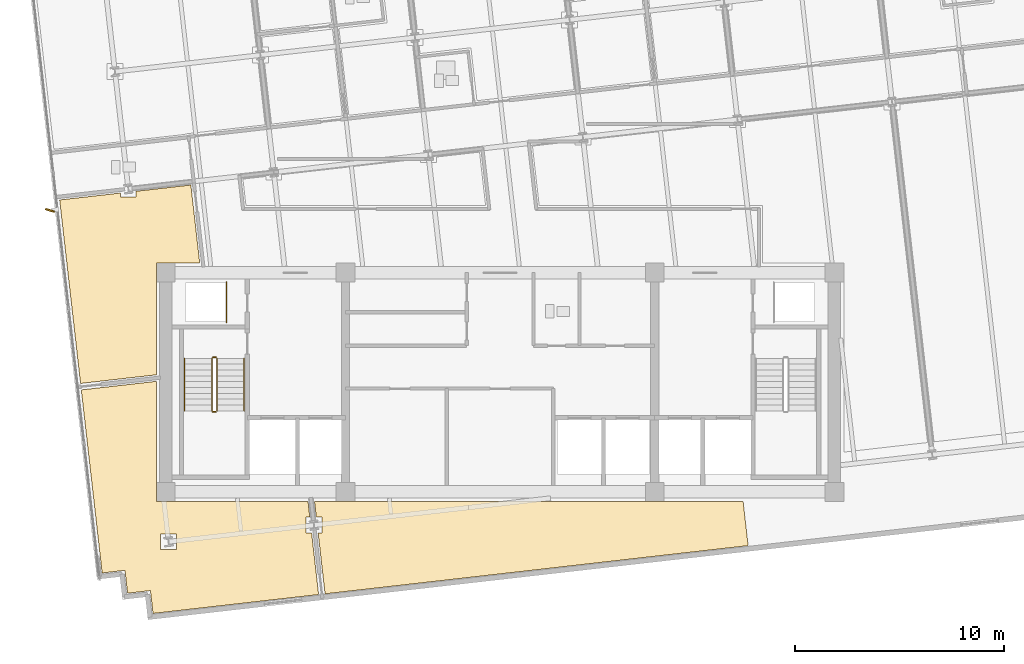
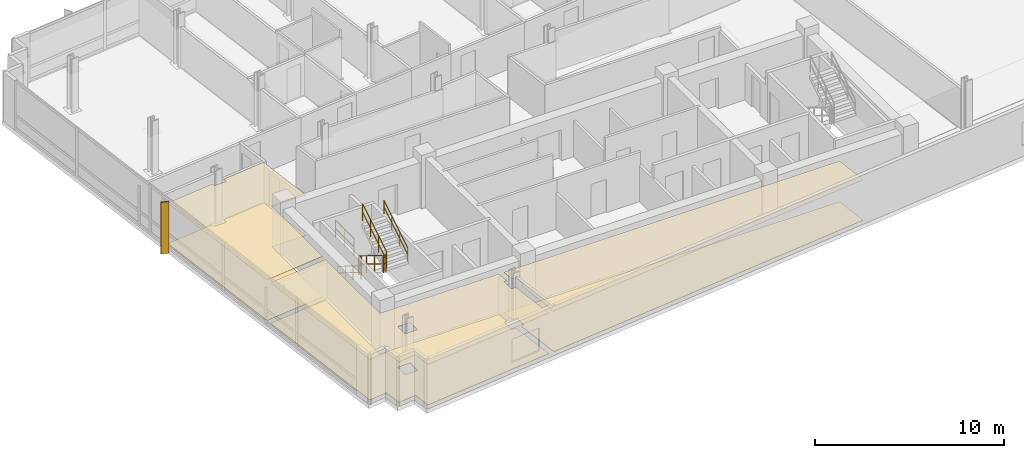
# One storey, part 12 of 16: 7 railings, 6 coverings, 1 shading device.
"""IFC4 building model written with IfcOpenShell, lengths in metres."""

from ifc_helpers import new_model, si_unit, direction, frame, origin, origin_2d, place, context, subcontext, project, spatial, polyline, rectangle, circle, outline, extrude, material, layer, layer_set, type_object, element, save


model = new_model("IFC4")

# Units and contexts
model_context = context("Model", 3, precision=1e-05, world=origin(), true_north=direction((0.0, 1.0)))
body_context = subcontext(model_context, "Body", "Model", "MODEL_VIEW")
ifc_project = project(units=[si_unit("LENGTHUNIT", "METRE"), si_unit("AREAUNIT", "SQUARE_METRE"), si_unit("VOLUMEUNIT", "CUBIC_METRE"), si_unit("PLANEANGLEUNIT", "RADIAN"), si_unit("MASSUNIT", "GRAM", prefix="KILO")], contexts=[model_context])

# Site, building, storey
site_placement = place(None, origin())
site = spatial("IfcSite", under=ifc_project, at=site_placement, CompositionType="ELEMENT")
building_placement = place(site_placement, origin())
building = spatial("IfcBuilding", under=site, at=building_placement, Name="Solmavex Isthmus Hotel", CompositionType="ELEMENT")
storey_placement = place(building_placement, frame((0.0, 0.0, 205.5)))
storey = spatial("IfcBuildingStorey", under=building, at=storey_placement, Name="L55", CompositionType="ELEMENT", Elevation=205.5)

# Coverings
ifc_material_1 = material(Name="Gypsum plasterboard lining", Category="gypsum")
ifc_layer_1 = layer(ifc_material_1, 0.030029296875)
ifc_layer_set_1 = layer_set([ifc_layer_1], Name="Gypsum plasterboard lining")
covering_type_1 = type_object("IfcCoveringType", Name="COV-CEIL-GYP", PredefinedType="CEILING", material=ifc_layer_set_1)
covering_1_placement = place(storey_placement, frame((0.0, 0.0, 2.6201171875)))
element("IfcCovering", 1, at=covering_1_placement, inside=storey, type_object=covering_type_1, Name="Suspended Acoustic Ceiling L55-FL10", PredefinedType="CEILING", context=body_context, shape_type="SweptSolid", body=[
    extrude(outline(polyline([(-17.4169921875, 1.39453125), (-17.4169921875, 1.12744140625), (-18.177001953125, 1.12744140625), (-18.177001953125, 1.30810546875), (-21.0830078125, 0.97705078125), (-20.58544921875, -3.389892578125), (-20.082275390625, -7.80615234375), (-16.455078125, -7.39306640625), (-16.455078125, -2.044921875), (-14.3779296875, -2.044921875), (-14.8037109375, 1.6923828125), (-17.4169921875, 1.39453125)])), origin(), (0.0, 0.0, 1.0), 0.02978515625),
])
covering_2_placement = place(storey_placement, frame((0.0, 0.0, 2.6201171875)))
element("IfcCovering", 2, at=covering_2_placement, inside=storey, type_object=covering_type_1, Name="Suspended Acoustic Ceiling L55-FL11", PredefinedType="CEILING", context=body_context, shape_type="SweptSolid", body=[
    extrude(outline(polyline([(-9.022216796875, -14.969970703125), (-9.28955078125, -14.969970703125), (-9.28955078125, -14.2099609375), (-9.10888671875, -14.2099609375), (-9.114501953125, -14.160400390625), (-9.19482421875, -13.455078125), (-16.455078125, -13.455078125), (-16.455078125, -7.704833984375), (-20.047119140625, -8.1142578125), (-19.22705078125, -15.312744140625), (-19.14208984375, -16.057861328125), (-19.048828125, -16.87744140625), (-17.955810546875, -16.7529296875), (-17.831298828125, -17.845947265625), (-16.73828125, -17.721435546875), (-16.61376953125, -18.814453125), (-15.794189453125, -18.720947265625), (-8.687255859375, -17.9111328125), (-9.022216796875, -14.969970703125)]), holes=[polyline([(-16.25244140625, -15.763427734375), (-16.25244140625, -15.00341796875), (-15.492431640625, -15.00341796875), (-15.492431640625, -15.763427734375), (-16.25244140625, -15.763427734375)])]), origin(), (0.0, 0.0, 1.0), 0.02978515625),
])
covering_3_placement = place(storey_placement, frame((0.0, 0.0, 2.6201171875)))
element("IfcCovering", 3, at=covering_3_placement, inside=storey, type_object=covering_type_1, Name="Suspended Acoustic Ceiling L55-FL12", PredefinedType="CEILING", context=body_context, shape_type="SweptSolid", body=[
    extrude(outline(polyline([(-8.796875, -14.2099609375), (-8.529541015625, -14.2099609375), (-8.529541015625, -14.969970703125), (-8.710205078125, -14.969970703125), (-8.379150390625, -17.876220703125), (2.487548828125, -16.637939453125), (11.871826171875, -15.56884765625), (11.631103515625, -13.455078125), (-8.8828125, -13.455078125), (-8.796875, -14.2099609375)])), origin(), (0.0, 0.0, 1.0), 0.02978515625),
])
ifc_material_2 = material(Name="Travertine natural stone", Category="masonry")
ifc_layer_2 = layer(ifc_material_2, 0.02490234375)
ifc_layer_set_2 = layer_set([ifc_layer_2], Name="Travertine natural stone")
covering_type_2 = type_object("IfcCoveringType", Name="COV-FLOR-STN", PredefinedType="FLOORING", material=ifc_layer_set_2)
covering_4_placement = place(storey_placement, origin())
element("IfcCovering", 4, at=covering_4_placement, inside=storey, type_object=covering_type_2, Name="Stone and Timber Floor Finish L55-FL10", PredefinedType="FLOORING", context=body_context, shape_type="SweptSolid", body=[
    extrude(outline(polyline([(-17.4169921875, 1.39453125), (-17.4169921875, 1.12744140625), (-18.177001953125, 1.12744140625), (-18.177001953125, 1.30810546875), (-21.0830078125, 0.97705078125), (-20.58544921875, -3.389892578125), (-20.082275390625, -7.80615234375), (-16.455078125, -7.39306640625), (-16.455078125, -2.044921875), (-14.3779296875, -2.044921875), (-14.8037109375, 1.6923828125), (-17.4169921875, 1.39453125)])), origin(), (0.0, 0.0, 1.0), 0.02490234375),
])
covering_5_placement = place(storey_placement, origin())
element("IfcCovering", 5, at=covering_5_placement, inside=storey, type_object=covering_type_2, Name="Stone and Timber Floor Finish L55-FL11", PredefinedType="FLOORING", context=body_context, shape_type="SweptSolid", body=[
    extrude(outline(polyline([(-9.022216796875, -14.969970703125), (-9.28955078125, -14.969970703125), (-9.28955078125, -14.2099609375), (-9.10888671875, -14.2099609375), (-9.114501953125, -14.160400390625), (-9.19482421875, -13.455078125), (-16.455078125, -13.455078125), (-16.455078125, -7.704833984375), (-20.047119140625, -8.1142578125), (-19.22705078125, -15.312744140625), (-19.14208984375, -16.057861328125), (-19.048828125, -16.87744140625), (-17.955810546875, -16.7529296875), (-17.831298828125, -17.845947265625), (-16.73828125, -17.721435546875), (-16.61376953125, -18.814453125), (-15.794189453125, -18.720947265625), (-8.687255859375, -17.9111328125), (-9.022216796875, -14.969970703125)]), holes=[polyline([(-16.25244140625, -15.763427734375), (-16.25244140625, -15.00341796875), (-15.492431640625, -15.00341796875), (-15.492431640625, -15.763427734375), (-16.25244140625, -15.763427734375)])]), origin(), (0.0, 0.0, 1.0), 0.02490234375),
])
covering_6_placement = place(storey_placement, origin())
element("IfcCovering", 6, at=covering_6_placement, inside=storey, type_object=covering_type_2, Name="Stone and Timber Floor Finish L55-FL12", PredefinedType="FLOORING", context=body_context, shape_type="SweptSolid", body=[
    extrude(outline(polyline([(-8.796875, -14.2099609375), (-8.529541015625, -14.2099609375), (-8.529541015625, -14.969970703125), (-8.710205078125, -14.969970703125), (-8.379150390625, -17.876220703125), (2.487548828125, -16.637939453125), (11.871826171875, -15.56884765625), (11.631103515625, -13.455078125), (-8.8828125, -13.455078125), (-8.796875, -14.2099609375)])), origin(), (0.0, 0.0, 1.0), 0.02490234375),
])

# Railings
ifc_material_3 = material(Name="Clear low-E laminated glass", Category="glass")
ifc_layer_3 = layer(ifc_material_3, 0.080078125)
ifc_layer_set_3 = layer_set([ifc_layer_3], Name="Clear low-E laminated glass")
railing_type_1 = type_object("IfcRailingType", Name="RAIL-ATRIUM-1120", PredefinedType="BALUSTRADE", material=ifc_layer_set_3)
railing_1_placement = place(storey_placement, frame((-13.10009765625, -4.89990234375, 0.0)))
element("IfcRailing", 7, at=railing_1_placement, inside=storey, type_object=railing_type_1, Name="Guardrail Balustrade L55-RSW-01", PredefinedType="BALUSTRADE", context=body_context, shape_type="SweptSolid", body=[
    extrude(circle(Radius=0.02392578125, at=origin_2d()), frame((0.0, 0.0, 1.1259765625), z_axis=(0.0, 1.0, 0.0), x_axis=(-1.0, 0.0, 0.0)), (0.0, 0.0, 1.0), 1.949951171875),
    extrude(circle(Radius=0.02392578125, at=origin_2d()), frame((0.0, 0.0, 0.574951171875), z_axis=(0.0, 1.0, 0.0), x_axis=(-1.0, 0.0, 0.0)), (0.0, 0.0, 1.0), 1.949951171875),
    extrude(circle(Radius=0.02099609375, at=origin_2d()), origin(), (0.0, 0.0, 1.0), 1.101806640625),
    extrude(circle(Radius=0.02099609375, at=origin_2d()), frame((0.0, 0.97509765625, 0.0)), (0.0, 0.0, 1.0), 1.101806640625),
    extrude(circle(Radius=0.02099609375, at=origin_2d()), frame((0.0, 1.949951171875, 0.0)), (0.0, 0.0, 1.0), 1.101806640625),
])
ifc_material_4 = material(Name="Stainless steel 316", Category="steel")
ifc_layer_4 = layer(ifc_material_4, 0.06005859375)
ifc_layer_set_4 = layer_set([ifc_layer_4], Name="Stainless steel 316")
railing_type_2 = type_object("IfcRailingType", Name="RAIL-STAIR-GD", PredefinedType="GUARDRAIL", material=ifc_layer_set_4)
railing_2_placement = place(storey_placement, frame((-13.800048828125, -6.60009765625, 0.172607421875)))
element("IfcRailing", 8, at=railing_2_placement, inside=storey, type_object=railing_type_2, Name="L55 ST-1 stair guard 1", PredefinedType="GUARDRAIL", context=body_context, shape_type="SweptSolid", body=[
    extrude(circle(Radius=0.02392578125, at=origin_2d()), frame((0.0, 0.0, 1.09619140625), z_axis=(0.0, -0.851400495292, 0.524516154772), x_axis=(1.0, 0.0, 0.0)), (0.0, 0.0, 1.0), 2.9599609375),
    extrude(circle(Radius=0.02392578125, at=origin_2d()), frame((0.0, 0.0, 0.56005859375), z_axis=(0.0, -0.851400495292, 0.524516154772), x_axis=(1.0, 0.0, 0.0)), (0.0, 0.0, 1.0), 2.9599609375),
    extrude(circle(Radius=0.02099609375, at=origin_2d()), origin(), (0.0, 0.0, 1.0), 1.072021484375),
    extrude(circle(Radius=0.02099609375, at=origin_2d()), frame((0.0, -0.840087890625, 0.517578125)), (0.0, 0.0, 1.0), 1.072021484375),
    extrude(circle(Radius=0.02099609375, at=origin_2d()), frame((0.0, -1.679931640625, 1.034912109375)), (0.0, 0.0, 1.0), 1.072021484375),
    extrude(circle(Radius=0.02099609375, at=origin_2d()), frame((0.0, -2.52001953125, 1.552490234375)), (0.0, 0.0, 1.0), 1.072021484375),
])
railing_3_placement = place(storey_placement, frame((-13.75, -9.169921875, 1.72509765625)))
element("IfcRailing", 9, at=railing_3_placement, inside=storey, type_object=railing_type_2, Name="L55 ST-1 stair guard 2", PredefinedType="GUARDRAIL", context=body_context, shape_type="SweptSolid", body=[
    extrude(circle(Radius=0.02392578125, at=origin_2d()), frame((0.0, 0.0, 1.09619140625), z_axis=(1.0, 0.0, 0.0), x_axis=(0.0, 1.0, 0.0)), (0.0, 0.0, 1.0), 0.14990234375),
    extrude(circle(Radius=0.02392578125, at=origin_2d()), frame((0.0, 0.0, 0.56005859375), z_axis=(1.0, 0.0, 0.0), x_axis=(0.0, 1.0, 0.0)), (0.0, 0.0, 1.0), 0.14990234375),
    extrude(circle(Radius=0.02099609375, at=origin_2d()), origin(), (0.0, 0.0, 1.0), 1.072021484375),
    extrude(circle(Radius=0.02099609375, at=origin_2d()), frame((0.14990234375, 0.0, 0.0)), (0.0, 0.0, 1.0), 1.072021484375),
])
railing_4_placement = place(storey_placement, frame((-13.550048828125, -9.1201171875, 1.8974609375)))
element("IfcRailing", 10, at=railing_4_placement, inside=storey, type_object=railing_type_2, Name="L55 ST-1 stair guard 3", PredefinedType="GUARDRAIL", context=body_context, shape_type="SweptSolid", body=[
    extrude(circle(Radius=0.02392578125, at=origin_2d()), frame((0.0, 0.0, 1.09619140625), z_axis=(0.0, 0.851400495292, 0.524516154772), x_axis=(-1.0, 0.0, 0.0)), (0.0, 0.0, 1.0), 2.9599609375),
    extrude(circle(Radius=0.02392578125, at=origin_2d()), frame((0.0, 0.0, 0.56005859375), z_axis=(0.0, 0.851400495292, 0.524516154772), x_axis=(-1.0, 0.0, 0.0)), (0.0, 0.0, 1.0), 2.9599609375),
    extrude(circle(Radius=0.02099609375, at=origin_2d()), origin(), (0.0, 0.0, 1.0), 1.072021484375),
    extrude(circle(Radius=0.02099609375, at=origin_2d()), frame((0.0, 0.840087890625, 0.517578125)), (0.0, 0.0, 1.0), 1.072021484375),
    extrude(circle(Radius=0.02099609375, at=origin_2d()), frame((0.0, 1.679931640625, 1.034912109375)), (0.0, 0.0, 1.0), 1.072021484375),
    extrude(circle(Radius=0.02099609375, at=origin_2d()), frame((0.0, 2.52001953125, 1.552490234375)), (0.0, 0.0, 1.0), 1.072021484375),
])
railing_5_placement = place(storey_placement, frame((-13.75, -6.550048828125, 0.0)))
element("IfcRailing", 11, at=railing_5_placement, inside=storey, type_object=railing_type_2, Name="L55 ST-1 stair guard 4", PredefinedType="GUARDRAIL", context=body_context, shape_type="SweptSolid", body=[
    extrude(circle(Radius=0.02392578125, at=origin_2d()), frame((0.0, 0.0, 1.09619140625), z_axis=(1.0, 0.0, 0.0), x_axis=(0.0, 1.0, 0.0)), (0.0, 0.0, 1.0), 0.14990234375),
    extrude(circle(Radius=0.02392578125, at=origin_2d()), frame((0.0, 0.0, 0.56005859375), z_axis=(1.0, 0.0, 0.0), x_axis=(0.0, 1.0, 0.0)), (0.0, 0.0, 1.0), 0.14990234375),
    extrude(circle(Radius=0.02099609375, at=origin_2d()), origin(), (0.0, 0.0, 1.0), 1.072021484375),
    extrude(circle(Radius=0.02099609375, at=origin_2d()), frame((0.14990234375, 0.0, 0.0)), (0.0, 0.0, 1.0), 1.072021484375),
])
ifc_layer_5 = layer(ifc_material_4, 0.050048828125)
ifc_layer_set_5 = layer_set([ifc_layer_5], Name="Stainless steel 316")
railing_type_3 = type_object("IfcRailingType", Name="RAIL-STAIR-HR", PredefinedType="HANDRAIL", material=ifc_layer_set_5)
railing_6_placement = place(storey_placement, frame((-15.10009765625, -6.60009765625, 0.172607421875)))
element("IfcRailing", 12, at=railing_6_placement, inside=storey, type_object=railing_type_3, Name="L55 ST-1 stair handrail 1", PredefinedType="HANDRAIL", context=body_context, shape_type="SweptSolid", body=[
    extrude(circle(Radius=0.02392578125, at=origin_2d()), frame((0.0, 0.0, 0.8759765625), z_axis=(0.0, -0.851400495292, 0.524516154772), x_axis=(1.0, 0.0, 0.0)), (0.0, 0.0, 1.0), 2.9599609375),
    extrude(circle(Radius=0.02392578125, at=origin_2d()), frame((0.0, 0.0, 0.449951171875), z_axis=(0.0, -0.851400495292, 0.524516154772), x_axis=(1.0, 0.0, 0.0)), (0.0, 0.0, 1.0), 2.9599609375),
    extrude(circle(Radius=0.02099609375, at=origin_2d()), origin(), (0.0, 0.0, 1.0), 0.851806640625),
    extrude(circle(Radius=0.02099609375, at=origin_2d()), frame((0.0, -0.840087890625, 0.517578125)), (0.0, 0.0, 1.0), 0.851806640625),
    extrude(circle(Radius=0.02099609375, at=origin_2d()), frame((0.0, -1.679931640625, 1.034912109375)), (0.0, 0.0, 1.0), 0.851806640625),
    extrude(circle(Radius=0.02099609375, at=origin_2d()), frame((0.0, -2.52001953125, 1.552490234375)), (0.0, 0.0, 1.0), 0.851806640625),
])
railing_7_placement = place(storey_placement, frame((-12.25, -9.1201171875, 1.8974609375)))
element("IfcRailing", 13, at=railing_7_placement, inside=storey, type_object=railing_type_3, Name="L55 ST-1 stair handrail 2", PredefinedType="HANDRAIL", context=body_context, shape_type="SweptSolid", body=[
    extrude(circle(Radius=0.02392578125, at=origin_2d()), frame((0.0, 0.0, 0.8759765625), z_axis=(0.0, 0.851400495292, 0.524516154772), x_axis=(-1.0, 0.0, 0.0)), (0.0, 0.0, 1.0), 2.9599609375),
    extrude(circle(Radius=0.02392578125, at=origin_2d()), frame((0.0, 0.0, 0.449951171875), z_axis=(0.0, 0.851400495292, 0.524516154772), x_axis=(-1.0, 0.0, 0.0)), (0.0, 0.0, 1.0), 2.9599609375),
    extrude(circle(Radius=0.02099609375, at=origin_2d()), origin(), (0.0, 0.0, 1.0), 0.851806640625),
    extrude(circle(Radius=0.02099609375, at=origin_2d()), frame((0.0, 0.840087890625, 0.517578125)), (0.0, 0.0, 1.0), 0.851806640625),
    extrude(circle(Radius=0.02099609375, at=origin_2d()), frame((0.0, 1.679931640625, 1.034912109375)), (0.0, 0.0, 1.0), 0.851806640625),
    extrude(circle(Radius=0.02099609375, at=origin_2d()), frame((0.0, 2.52001953125, 1.552490234375)), (0.0, 0.0, 1.0), 0.851806640625),
])

# Shading device
ifc_material_5 = material(Name="Aluminium alloy 6063-T6", Category="aluminium")
shading_device_type = type_object("IfcShadingDeviceType", Name="SHD-FIN-BRONZE", PredefinedType="USERDEFINED", material=ifc_material_5)
shading_device_placement = place(storey_placement, frame((-21.54443359375, 0.4765625, -0.14013671875), z_axis=(0.0, 0.0, 1.0), x_axis=(-0.953716950748, 0.300705799504, 0.0)))
element("IfcShadingDevice", 14, at=shading_device_placement, inside=storey, type_object=shading_device_type, Name="Anodised Aluminium Solar Fin L55-W1", ObjectType="SOLAR_FIN", PredefinedType="USERDEFINED", context=body_context, shape_type="SweptSolid", body=[
    extrude(rectangle(XDim=0.449951171875, YDim=0.080078125, at=origin_2d()), origin(), (0.0, 0.0, 1.0), 3.330078125),
])

save(model, "model.ifc")
